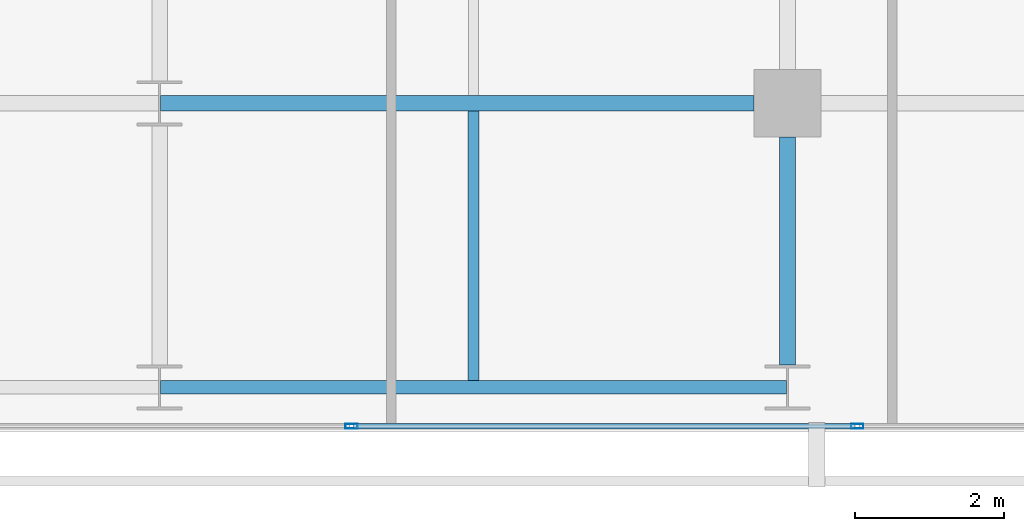
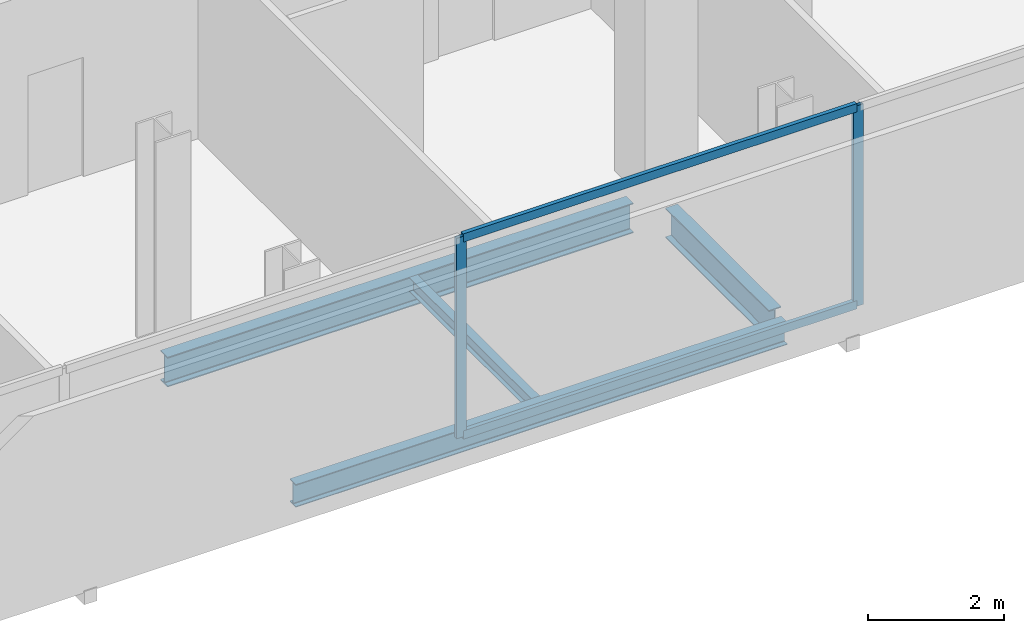
# One storey, part 12 of 33: 4 beams, 4 members, 1 element without a shape of its own.
"""IFC4 building model written with IfcOpenShell, lengths in metres."""

from ifc_helpers import new_model, si_unit, direction, frame, origin, origin_2d, place, context, subcontext, project, spatial, hollow_rectangle, i_section, extrude, material, layer, layer_set, material_profile, profile_set, type_object, element, aggregate, save


model = new_model("IFC4")

# Units and contexts
model_context = context("Model", 3, precision=1e-05, world=origin(), true_north=direction((0.0, 1.0)))
body_context = subcontext(model_context, "Body", "Model", "MODEL_VIEW")
ifc_project = project(units=[si_unit("LENGTHUNIT", "METRE"), si_unit("AREAUNIT", "SQUARE_METRE"), si_unit("VOLUMEUNIT", "CUBIC_METRE"), si_unit("PLANEANGLEUNIT", "RADIAN"), si_unit("MASSUNIT", "GRAM", prefix="KILO")], contexts=[model_context])

# Site, building, storey
site_placement = place(None, origin())
site = spatial("IfcSite", under=ifc_project, at=site_placement, CompositionType="ELEMENT")
building_placement = place(site_placement, origin())
building = spatial("IfcBuilding", under=site, at=building_placement, Name="Maruvema Waterfront Hotel and Observation Tower", CompositionType="ELEMENT")
storey_placement = place(building_placement, frame((0.0, 0.0, 196.699951171875)))
storey = spatial("IfcBuildingStorey", under=building, at=storey_placement, Name="L48", CompositionType="ELEMENT", Elevation=196.699951171875)

# Curtain wall, members
ifc_material_1 = material(Name="Anodised bronze aluminium and solar-control low-E IGU", Category="aluminium")
ifc_layer = layer(ifc_material_1, 0.159912109375, Name="Zone 2 Amber Inner Thermal Curtain Wall System CW-03")
ifc_layer_set = layer_set([ifc_layer], Name="Anodised bronze aluminium and solar-control low-E IGU")
curtain_wall_type = type_object("IfcCurtainWallType", Name="Zone 2 Amber Inner Thermal Curtain Wall System CW-03", PredefinedType="USERDEFINED", material=ifc_layer_set)
curtain_wall_placement = place(storey_placement, origin())
curtain_wall = element("IfcCurtainWall", 1, at=curtain_wall_placement, inside=storey, type_object=curtain_wall_type, Name="L48 Curtain Wall CW-L48-S", ObjectType="UNITISED CURTAIN WALL", PredefinedType="USERDEFINED")
ifc_material_2 = material(Name="Anodised architectural bronze aluminium", Category="aluminium")
ifc_material_profile_1 = material_profile(ifc_material_2, hollow_rectangle(XDim=0.070068359375, YDim=0.14990234375, WallThickness=0.00390625, at=origin_2d()), Name="ALU-T70x150")
ifc_profile_set_1 = profile_set([ifc_material_profile_1], Name="Anodised architectural bronze aluminium")
member_type_1 = type_object("IfcMemberType", Name="Curtain Wall Horizontal Transom ALU-T70x150", PredefinedType="USERDEFINED", material=ifc_profile_set_1)
member_1_placement = place(storey_placement, frame((44.5966796875, 4.679931640625, 0.030029296875), z_axis=(1.0, 0.0, 0.0), x_axis=(0.0, 1.0, 0.0)))
member_1 = element("IfcMember", 2, at=member_1_placement, type_object=member_type_1, Name="CW-03 transom 5.1", ObjectType="TRANSOM", PredefinedType="USERDEFINED", context=body_context, shape_type="SweptSolid", body=[
    extrude(hollow_rectangle(XDim=0.070068359375, YDim=0.14990234375, WallThickness=0.00390625, at=origin_2d()), origin(), (0.0, 0.0, 1.0), 6.70654296875),
])
member_2_placement = place(storey_placement, frame((44.5966796875, 4.679931640625, 3.580078125), z_axis=(1.0, 0.0, 0.0), x_axis=(0.0, 1.0, 0.0)))
member_2 = element("IfcMember", 3, at=member_2_placement, type_object=member_type_1, Name="CW-03 transom 5.2", ObjectType="TRANSOM", PredefinedType="USERDEFINED", context=body_context, shape_type="SweptSolid", body=[
    extrude(hollow_rectangle(XDim=0.070068359375, YDim=0.14990234375, WallThickness=0.00390625, at=origin_2d()), origin(), (0.0, 0.0, 1.0), 6.70654296875),
])
ifc_material_3 = material(Name="Anodised architectural bronze aluminium", Category="aluminium")
ifc_material_profile_2 = material_profile(ifc_material_3, hollow_rectangle(XDim=0.06494140625, YDim=0.1650390625, WallThickness=0.00390625, at=origin_2d()), Name="ALU-M65x165")
ifc_profile_set_2 = profile_set([ifc_material_profile_2], Name="Anodised architectural bronze aluminium")
member_type_2 = type_object("IfcMemberType", Name="Curtain Wall Primary Mullion ALU-M65x165", PredefinedType="MULLION", material=ifc_profile_set_2)
member_3_placement = place(storey_placement, frame((44.566650390625, 4.679931640625, 0.0), z_axis=(0.0, 0.0, 1.0), x_axis=(0.0, 1.0, 0.0)))
member_3 = element("IfcMember", 4, at=member_3_placement, type_object=member_type_2, Name="CW-03 mullion 5", PredefinedType="MULLION", context=body_context, shape_type="SweptSolid", body=[
    extrude(hollow_rectangle(XDim=0.06494140625, YDim=0.1650390625, WallThickness=0.00390625, at=origin_2d()), origin(), (0.0, 0.0, 1.0), 3.610107421875),
])
member_4_placement = place(storey_placement, frame((51.333251953125, 4.679931640625, 0.0), z_axis=(0.0, 0.0, 1.0), x_axis=(0.0, 1.0, 0.0)))
member_4 = element("IfcMember", 5, at=member_4_placement, type_object=member_type_2, Name="CW-03 mullion 6", PredefinedType="MULLION", context=body_context, shape_type="SweptSolid", body=[
    extrude(hollow_rectangle(XDim=0.06494140625, YDim=0.1650390625, WallThickness=0.00390625, at=origin_2d()), origin(), (0.0, 0.0, 1.0), 3.610107421875),
])
aggregate(curtain_wall, [member_3, member_4, member_1, member_2])

# Beams
ifc_material_4 = material(Name="Steel ASTM A572 Grade 50", Category="steel")
ifc_material_profile_3 = material_profile(ifc_material_4, i_section(OverallWidth=0.178955078125, OverallDepth=0.409912109375, WebThickness=0.0087890625, FlangeThickness=0.014404296875, FilletRadius=0.014892578125, at=origin_2d()), Name="W410x67.0")
ifc_profile_set_3 = profile_set([ifc_material_profile_3], Name="Steel ASTM A572 Grade 50")
beam_type_1 = type_object("IfcBeamType", Name="Perimeter Spandrel Beam W410x67.0", PredefinedType="SPANDREL", material=ifc_profile_set_3)
beam_1_placement = place(storey_placement, frame((42.012451171875, 5.199951171875, -0.445068359375), z_axis=(1.0, 0.0, 0.0), x_axis=(0.0, 1.0, 0.0)))
element("IfcBeam", 6, at=beam_1_placement, inside=storey, type_object=beam_type_1, Name="L48 Floor Girder EW-03", PredefinedType="SPANDREL", context=body_context, shape_type="SweptSolid", body=[
    extrude(i_section(OverallWidth=0.178955078125, OverallDepth=0.409912109375, WebThickness=0.0087890625, FlangeThickness=0.014404296875, FilletRadius=0.014892578125, at=origin_2d()), origin(), (0.0, 0.0, 1.0), 8.375),
])
ifc_material_5 = material(Name="Steel ASTM A572 Grade 50", Category="steel")
ifc_material_profile_4 = material_profile(ifc_material_5, i_section(OverallWidth=0.2109375, OverallDepth=0.5390625, WebThickness=0.01171875, FlangeThickness=0.018798828125, FilletRadius=0.014892578125, at=origin_2d()), Name="W530x109.0")
ifc_profile_set_4 = profile_set([ifc_material_profile_4], Name="Steel ASTM A572 Grade 50")
beam_type_2 = type_object("IfcBeamType", Name="Primary Floor Girder W530x109.0", PredefinedType="BEAM", material=ifc_profile_set_4)
beam_2_placement = place(storey_placement, frame((42.012451171875, 9.0, -0.509521484375), z_axis=(1.0, 0.0, 0.0), x_axis=(0.0, 1.0, 0.0)))
element("IfcBeam", 7, at=beam_2_placement, inside=storey, type_object=beam_type_2, Name="L48 Floor Girder EW-08", PredefinedType="BEAM", context=body_context, shape_type="SweptSolid", body=[
    extrude(i_section(OverallWidth=0.2109375, OverallDepth=0.5390625, WebThickness=0.01171875, FlangeThickness=0.018798828125, FilletRadius=0.014892578125, at=origin_2d()), origin(), (0.0, 0.0, 1.0), 7.9375),
])
beam_3_placement = place(storey_placement, frame((50.39990234375, 5.5, -0.509521484375), z_axis=(0.0, 1.0, 0.0), x_axis=(-1.0, 0.0, 0.0)))
element("IfcBeam", 8, at=beam_3_placement, inside=storey, type_object=beam_type_2, Name="L48 Floor Girder NS-20", PredefinedType="BEAM", context=body_context, shape_type="SweptSolid", body=[
    extrude(i_section(OverallWidth=0.2109375, OverallDepth=0.5390625, WebThickness=0.01171875, FlangeThickness=0.018798828125, FilletRadius=0.014892578125, at=origin_2d()), origin(), (0.0, 0.0, 1.0), 3.050048828125),
])
ifc_material_6 = material(Name="Steel ASTM A572 Grade 50", Category="steel")
ifc_material_profile_5 = material_profile(ifc_material_6, i_section(OverallWidth=0.14599609375, OverallDepth=0.258056640625, WebThickness=0.006103515625, FlangeThickness=0.009033203125, FilletRadius=0.012939453125, at=origin_2d()), Name="W250x32.7")
ifc_profile_set_5 = profile_set([ifc_material_profile_5], Name="Steel ASTM A572 Grade 50")
beam_type_3 = type_object("IfcBeamType", Name="Secondary Floor Joist W250x32.7", PredefinedType="JOIST", material=ifc_profile_set_5)
beam_4_placement = place(storey_placement, frame((46.199951171875, 5.28955078125, -0.368896484375), z_axis=(0.0, 1.0, 0.0), x_axis=(-1.0, 0.0, 0.0)))
element("IfcBeam", 9, at=beam_4_placement, inside=storey, type_object=beam_type_3, Name="L48 Secondary Floor Joist JS-09", PredefinedType="JOIST", context=body_context, shape_type="SweptSolid", body=[
    extrude(i_section(OverallWidth=0.14599609375, OverallDepth=0.258056640625, WebThickness=0.006103515625, FlangeThickness=0.009033203125, FilletRadius=0.012939453125, at=origin_2d()), origin(), (0.0, 0.0, 1.0), 3.60498046875),
])

save(model, "model.ifc")
